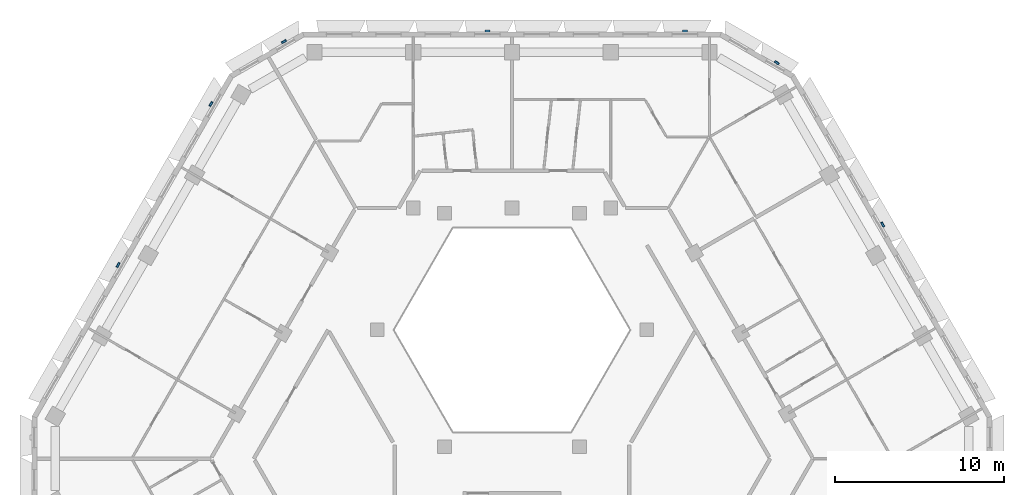
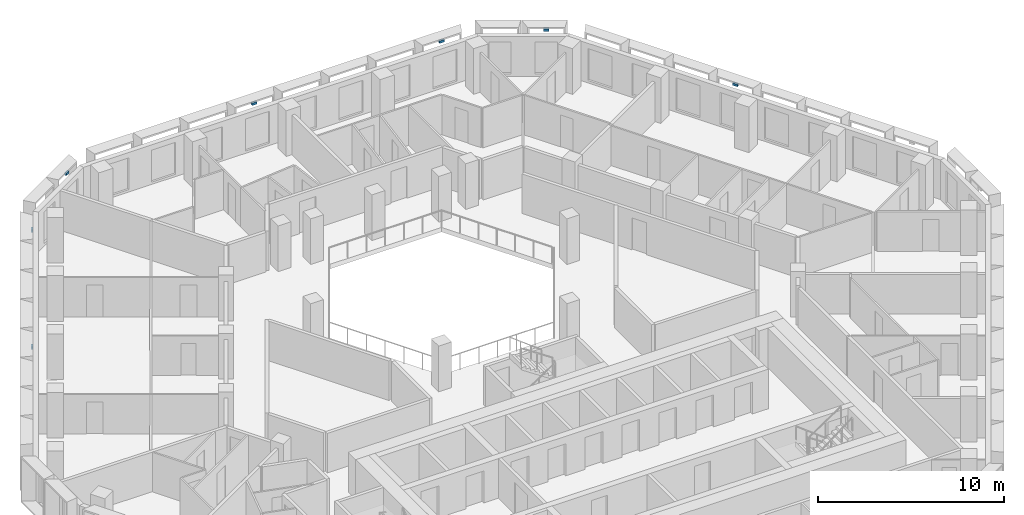
# One storey, part 11 of 17: 7 discrete accessories.
"""IFC4 building model written with IfcOpenShell, lengths in metres."""

from ifc_helpers import new_model, si_unit, direction, frame, origin, place, context, subcontext, project, spatial, polyline, outline, extrude, source, transform, mapped, material, type_object, type_shapes, element, save


model = new_model("IFC4")

# Units and contexts
model_context = context("Model", 3, precision=1e-05, world=origin(), true_north=direction((0.0, 1.0)))
body_context = subcontext(model_context, "Body", "Model", "MODEL_VIEW")
ifc_project = project(units=[si_unit("LENGTHUNIT", "METRE"), si_unit("AREAUNIT", "SQUARE_METRE"), si_unit("VOLUMEUNIT", "CUBIC_METRE"), si_unit("PLANEANGLEUNIT", "RADIAN"), si_unit("MASSUNIT", "GRAM", prefix="KILO")], contexts=[model_context])

# Site, building, storey
site_placement = place(None, origin())
site = spatial("IfcSite", under=ifc_project, at=site_placement, CompositionType="ELEMENT")
building_placement = place(site_placement, origin())
building = spatial("IfcBuilding", under=site, at=building_placement, Name="Beryl Residences", CompositionType="ELEMENT")
storey_placement = place(building_placement, frame((0.0, 0.0, 150.60009765625)))
storey = spatial("IfcBuildingStorey", under=building, at=storey_placement, Name="L46", CompositionType="ELEMENT", Elevation=150.60009765625)

# Discrete accessories
ifc_material = material(Name="Steel S355", Category="steel")
discrete_accessory_type = type_object("IfcDiscreteAccessoryType", Name="BR1 frame bracket 300 x 120 x 150 mm", PredefinedType="BRACKET", material=ifc_material)
shared_shape = source(origin(), body_context, "Body", "SweptSolid", [
    extrude(outline(polyline([(-0.14990234375, 0.0), (0.14990234375, 0.0), (0.14990234375, 0.1201171875), (-0.14990234375, 0.1201171875), (-0.14990234375, 0.0)])), origin(), (0.0, 0.0, 1.0), 0.14990234375),
])
type_shapes(discrete_accessory_type, [shared_shape])
for number, where, z_axis, x_axis, name in (
    (1, (10.2041015625, 25.60009765625, 2.75), (0.0, 0.0, 1.0), (1.0, 0.0, 0.0), "BR1 bracket L46 N 1"),
    (2, (-1.4580078125, 25.60009765625, 2.75), (0.0, 0.0, 1.0), (1.0, 0.0, 0.0), "BR1 bracket L46 N 5"),
    (3, (-13.43798828125, 24.97509765625, 2.75), (0.0, 0.0, 1.0), (0.866025403784, 0.5, 0.0), "BR1 bracket L46 N-NW 1"),
    (4, (-17.718017578125, 21.31298828125, 2.75), (0.0, 0.0, 1.0), (0.5, 0.866025403784, 0.0), "BR1 bracket L46 NW 1"),
    (5, (-23.202880859375, 11.81201171875, 2.75), (0.0, 0.0, 1.0), (0.5, 0.866025403784, 0.0), "BR1 bracket L46 NW 5"),
    (6, (21.8310546875, 14.18798828125, 2.75), (0.0, 0.0, 1.0), (0.5, -0.866025403784, 0.0), "BR1 bracket L46 NE 5"),
    (7, (15.60205078125, 23.72509765625, 2.75), (0.0, 0.0, 1.0), (0.866025403784, -0.5, 0.0), "BR1 bracket L46 NE-N 1"),
):
    element("IfcDiscreteAccessory", number, at=place(storey_placement, frame(where, z_axis=z_axis, x_axis=x_axis)), inside=storey, type_object=discrete_accessory_type, Name=name, PredefinedType="BRACKET", context=body_context, shape_type="MappedRepresentation", body=[
        mapped(shared_shape, transform((0.0, 0.0, 0.0))),
    ])

save(model, "model.ifc")
